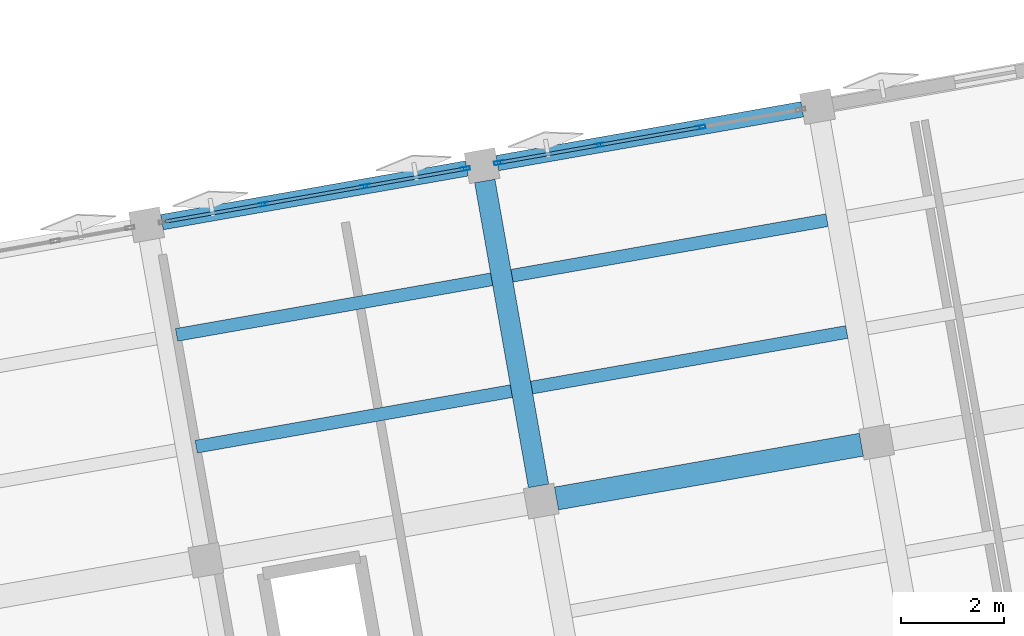
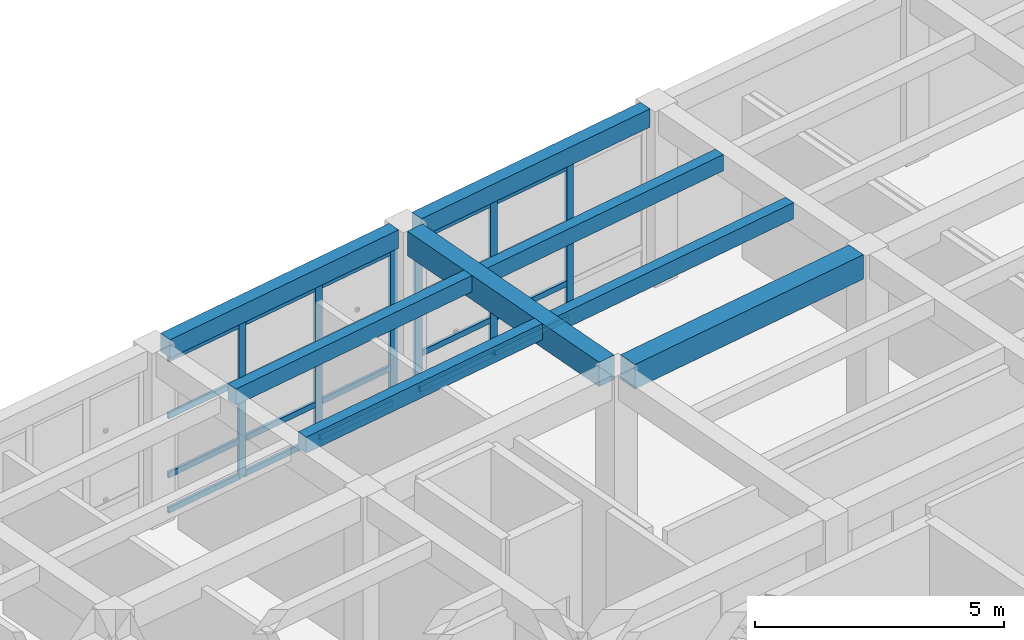
# One storey, part 7 of 36: 26 members, 8 beams, 2 elements without a shape of their own.
"""IFC4 building model written with IfcOpenShell, lengths in metres."""

from ifc_helpers import new_model, si_unit, direction, frame, origin, origin_2d, place, context, subcontext, project, spatial, rectangle, hollow_rectangle, extrude, material, layer, layer_set, material_profile, profile_set, type_object, element, aggregate, save


model = new_model("IFC4")

# Units and contexts
model_context = context("Model", 3, precision=1e-05, world=origin(), true_north=direction((0.0, 1.0)))
body_context = subcontext(model_context, "Body", "Model", "MODEL_VIEW")
ifc_project = project(units=[si_unit("LENGTHUNIT", "METRE"), si_unit("AREAUNIT", "SQUARE_METRE"), si_unit("VOLUMEUNIT", "CUBIC_METRE"), si_unit("PLANEANGLEUNIT", "RADIAN"), si_unit("MASSUNIT", "GRAM", prefix="KILO")], contexts=[model_context])

# Site, building, storey
site_placement = place(None, origin())
site = spatial("IfcSite", under=ifc_project, at=site_placement, CompositionType="ELEMENT")
building_placement = place(site_placement, origin())
building = spatial("IfcBuilding", under=site, at=building_placement, Name="Kharisveld Research Institute", CompositionType="ELEMENT")
storey_placement = place(building_placement, frame((0.0, 0.0, 27.60009765625)))
storey = spatial("IfcBuildingStorey", under=building, at=storey_placement, Name="L06", CompositionType="ELEMENT", Elevation=27.60009765625)

# Beams
ifc_material_1 = material(Name="Concrete C40/50", Category="concrete")
ifc_material_profile_1 = material_profile(ifc_material_1, rectangle(XDim=0.39990234375, YDim=0.60009765625, at=origin_2d()))
ifc_profile_set_1 = profile_set([ifc_material_profile_1], Name="Concrete C40/50")
beam_type_1 = type_object("IfcBeamType", Name="BM_RC_400x600", PredefinedType="BEAM", material=ifc_profile_set_1)
beam_1_placement = place(storey_placement, frame((22.35498046875, 51.7431640625, 4.02001953125), z_axis=(-0.173662308598, 0.984805261243, 0.0), x_axis=(-0.984805261243, -0.173662308598, 0.0)))
element("IfcBeam", 1, at=beam_1_placement, inside=storey, type_object=beam_type_1, Name="BM:V1:L06:V3_2", PredefinedType="BEAM", context=body_context, shape_type="SweptSolid", body=[
    extrude(rectangle(XDim=0.39990234375, YDim=0.60009765625, at=origin_2d()), origin(), (0.0, 0.0, 1.0), 6.0),
])
ifc_material_2 = material(Name="Concrete C40/50", Category="concrete")
ifc_material_profile_2 = material_profile(ifc_material_2, rectangle(XDim=0.449951171875, YDim=0.60009765625, at=origin_2d()))
ifc_profile_set_2 = profile_set([ifc_material_profile_2], Name="Concrete C40/50")
beam_type_2 = type_object("IfcBeamType", Name="BM_RC_450x600", PredefinedType="BEAM", material=ifc_profile_set_2)
beam_2_placement = place(storey_placement, frame((22.702392578125, 51.499755859375, 4.02001953125), z_axis=(0.984805261243, 0.173662308598, 0.0), x_axis=(-0.173662308598, 0.984805261243, 0.0)))
element("IfcBeam", 2, at=beam_2_placement, inside=storey, type_object=beam_type_2, Name="BM:V1:L06:U3_2", PredefinedType="BEAM", context=body_context, shape_type="SweptSolid", body=[
    extrude(rectangle(XDim=0.449951171875, YDim=0.60009765625, at=origin_2d()), origin(), (0.0, 0.0, 1.0), 6.0),
])

# Curtain wall, members
ifc_material_3 = material(Name="Thermally Broken Aluminium Curtain Wall", Category="aluminium")
ifc_layer_1 = layer(ifc_material_3, 0.159912109375)
ifc_layer_set_1 = layer_set([ifc_layer_1], Name="CW_SYS_05")
curtain_wall_type_1 = type_object("IfcCurtainWallType", Name="CW_SYS_05", PredefinedType="NOTDEFINED", material=ifc_layer_set_1)
curtain_wall_1_placement = place(storey_placement, origin())
curtain_wall_1 = element("IfcCurtainWall", 3, at=curtain_wall_1_placement, inside=storey, type_object=curtain_wall_type_1, Name="CW:V1:L06:N2", PredefinedType="NOTDEFINED")
ifc_material_4 = material(Name="Anodised Aluminium AW-6063-T6", Category="aluminium")
ifc_material_profile_3 = material_profile(ifc_material_4, hollow_rectangle(XDim=0.070068359375, YDim=0.179931640625, WallThickness=0.00439453125, at=origin_2d()))
ifc_profile_set_3 = profile_set([ifc_material_profile_3], Name="Anodised Aluminium AW-6063-T6")
member_type_1 = type_object("IfcMemberType", Name="CW_MUL_180", PredefinedType="MULLION", material=ifc_profile_set_3)
member_1_placement = place(storey_placement, frame((17.024658203125, 57.200439453125, 0.0), z_axis=(0.0, 0.0, 1.0), x_axis=(-0.173648210685, 0.98480774719, 0.0)))
member_1 = element("IfcMember", 4, at=member_1_placement, type_object=member_type_1, Name="CW-05 mullion 2", PredefinedType="MULLION", context=body_context, shape_type="SweptSolid", body=[
    extrude(hollow_rectangle(XDim=0.070068359375, YDim=0.179931640625, WallThickness=0.00439453125, at=origin_2d()), origin(), (0.0, 0.0, 1.0), 3.77978515625),
])
member_2_placement = place(storey_placement, frame((18.99755859375, 57.54833984375, 0.0), z_axis=(0.0, 0.0, 1.0), x_axis=(-0.173648210685, 0.98480774719, 0.0)))
member_2 = element("IfcMember", 5, at=member_2_placement, type_object=member_type_1, Name="CW-05 mullion 3", PredefinedType="MULLION", context=body_context, shape_type="SweptSolid", body=[
    extrude(hollow_rectangle(XDim=0.070068359375, YDim=0.179931640625, WallThickness=0.00439453125, at=origin_2d()), origin(), (0.0, 0.0, 1.0), 3.77978515625),
])
member_3_placement = place(storey_placement, frame((20.93603515625, 57.89013671875, 0.0), z_axis=(0.0, 0.0, 1.0), x_axis=(-0.173648210685, 0.98480774719, 0.0)))
member_3 = element("IfcMember", 6, at=member_3_placement, type_object=member_type_1, Name="CW-05 mullion 4", PredefinedType="MULLION", context=body_context, shape_type="SweptSolid", body=[
    extrude(hollow_rectangle(XDim=0.070068359375, YDim=0.179931640625, WallThickness=0.00439453125, at=origin_2d()), origin(), (0.0, 0.0, 1.0), 3.77978515625),
])

ifc_material_5 = material(Name="Thermally Broken Aluminium Curtain Wall", Category="aluminium")
ifc_layer_2 = layer(ifc_material_5, 0.159912109375)
ifc_layer_set_2 = layer_set([ifc_layer_2], Name="CW_SYS_06")
curtain_wall_type_2 = type_object("IfcCurtainWallType", Name="CW_SYS_06", PredefinedType="NOTDEFINED", material=ifc_layer_set_2)
curtain_wall_2_placement = place(storey_placement, origin())
curtain_wall_2 = element("IfcCurtainWall", 7, at=curtain_wall_2_placement, inside=storey, type_object=curtain_wall_type_2, Name="CW:V1:L06:N3", PredefinedType="NOTDEFINED")
member_4_placement = place(storey_placement, frame((21.5859375, 58.004638671875, 0.0), z_axis=(0.0, 0.0, 1.0), x_axis=(-0.173648239132, 0.984807742174, 0.0)))
member_4 = element("IfcMember", 8, at=member_4_placement, type_object=member_type_1, Name="CW-06 mullion 1", PredefinedType="MULLION", context=body_context, shape_type="SweptSolid", body=[
    extrude(hollow_rectangle(XDim=0.070068359375, YDim=0.179931640625, WallThickness=0.00439453125, at=origin_2d()), origin(), (0.0, 0.0, 1.0), 3.77978515625),
])
member_5_placement = place(storey_placement, frame((23.5244140625, 58.346435546875, 0.0), z_axis=(0.0, 0.0, 1.0), x_axis=(-0.173648239132, 0.984807742174, 0.0)))
member_5 = element("IfcMember", 9, at=member_5_placement, type_object=member_type_1, Name="CW-06 mullion 2", PredefinedType="MULLION", context=body_context, shape_type="SweptSolid", body=[
    extrude(hollow_rectangle(XDim=0.070068359375, YDim=0.179931640625, WallThickness=0.00439453125, at=origin_2d()), origin(), (0.0, 0.0, 1.0), 3.77978515625),
])
member_6_placement = place(storey_placement, frame((25.497314453125, 58.6943359375, 0.0), z_axis=(0.0, 0.0, 1.0), x_axis=(-0.173648239132, 0.984807742174, 0.0)))
member_6 = element("IfcMember", 10, at=member_6_placement, type_object=member_type_1, Name="CW-06 mullion 3", PredefinedType="MULLION", context=body_context, shape_type="SweptSolid", body=[
    extrude(hollow_rectangle(XDim=0.070068359375, YDim=0.179931640625, WallThickness=0.00439453125, at=origin_2d()), origin(), (0.0, 0.0, 1.0), 3.77978515625),
])

# Member
ifc_material_6 = material(Name="Anodised Aluminium AW-6063-T6", Category="aluminium")
ifc_material_profile_4 = material_profile(ifc_material_6, hollow_rectangle(XDim=0.06494140625, YDim=0.139892578125, WallThickness=0.00390625, at=origin_2d()))
ifc_profile_set_4 = profile_set([ifc_material_profile_4], Name="Anodised Aluminium AW-6063-T6")
member_type_2 = type_object("IfcMemberType", Name="CW_TRN_140", PredefinedType="USERDEFINED", material=ifc_profile_set_4)
member_7_placement = place(storey_placement, frame((15.12060546875, 56.86474609375, 0.032470703125), z_axis=(0.984814614087, 0.173609262081, 0.0), x_axis=(-0.173609262081, 0.984814614087, 0.0)))
member_7 = element("IfcMember", 11, at=member_7_placement, type_object=member_type_2, Name="CW-05 transom 1.1", ObjectType="TRANSOM", PredefinedType="USERDEFINED", context=body_context, shape_type="SweptSolid", body=[
    extrude(hollow_rectangle(XDim=0.06494140625, YDim=0.139892578125, WallThickness=0.00390625, at=origin_2d()), origin(), (0.0, 0.0, 1.0), 1.8984375),
])

member_8_placement = place(storey_placement, frame((15.12060546875, 56.86474609375, 0.89990234375), z_axis=(0.984814614087, 0.173609262081, 0.0), x_axis=(-0.173609262081, 0.984814614087, 0.0)))
member_8 = element("IfcMember", 12, at=member_8_placement, type_object=member_type_2, Name="CW-05 transom 1.2", ObjectType="TRANSOM", PredefinedType="USERDEFINED", context=body_context, shape_type="SweptSolid", body=[
    extrude(hollow_rectangle(XDim=0.06494140625, YDim=0.139892578125, WallThickness=0.00390625, at=origin_2d()), origin(), (0.0, 0.0, 1.0), 1.8984375),
])

member_9_placement = place(storey_placement, frame((15.12060546875, 56.86474609375, 2.349853515625), z_axis=(0.984814614087, 0.173609262081, 0.0), x_axis=(-0.173609262081, 0.984814614087, 0.0)))
member_9 = element("IfcMember", 13, at=member_9_placement, type_object=member_type_2, Name="CW-05 transom 1.3", ObjectType="TRANSOM", PredefinedType="USERDEFINED", context=body_context, shape_type="SweptSolid", body=[
    extrude(hollow_rectangle(XDim=0.06494140625, YDim=0.139892578125, WallThickness=0.00390625, at=origin_2d()), origin(), (0.0, 0.0, 1.0), 1.8984375),
])

member_10_placement = place(storey_placement, frame((15.12060546875, 56.86474609375, 3.747314453125), z_axis=(0.984814614087, 0.173609262081, 0.0), x_axis=(-0.173609262081, 0.984814614087, 0.0)))
member_10 = element("IfcMember", 14, at=member_10_placement, type_object=member_type_2, Name="CW-05 transom 1.4", ObjectType="TRANSOM", PredefinedType="USERDEFINED", context=body_context, shape_type="SweptSolid", body=[
    extrude(hollow_rectangle(XDim=0.06494140625, YDim=0.139892578125, WallThickness=0.00390625, at=origin_2d()), origin(), (0.0, 0.0, 1.0), 1.8984375),
])

member_11_placement = place(storey_placement, frame((17.05908203125, 57.20654296875, 0.032470703125), z_axis=(0.984811512808, 0.173626853457, 0.0), x_axis=(-0.173626853457, 0.984811512808, 0.0)))
member_11 = element("IfcMember", 15, at=member_11_placement, type_object=member_type_2, Name="CW-05 transom 2.1", ObjectType="TRANSOM", PredefinedType="USERDEFINED", context=body_context, shape_type="SweptSolid", body=[
    extrude(hollow_rectangle(XDim=0.06494140625, YDim=0.139892578125, WallThickness=0.00390625, at=origin_2d()), origin(), (0.0, 0.0, 1.0), 1.933349609375),
])

member_12_placement = place(storey_placement, frame((17.05908203125, 57.20654296875, 0.89990234375), z_axis=(0.984811512808, 0.173626853457, 0.0), x_axis=(-0.173626853457, 0.984811512808, 0.0)))
member_12 = element("IfcMember", 16, at=member_12_placement, type_object=member_type_2, Name="CW-05 transom 2.2", ObjectType="TRANSOM", PredefinedType="USERDEFINED", context=body_context, shape_type="SweptSolid", body=[
    extrude(hollow_rectangle(XDim=0.06494140625, YDim=0.139892578125, WallThickness=0.00390625, at=origin_2d()), origin(), (0.0, 0.0, 1.0), 1.933349609375),
])

member_13_placement = place(storey_placement, frame((17.05908203125, 57.20654296875, 2.349853515625), z_axis=(0.984811512808, 0.173626853457, 0.0), x_axis=(-0.173626853457, 0.984811512808, 0.0)))
member_13 = element("IfcMember", 17, at=member_13_placement, type_object=member_type_2, Name="CW-05 transom 2.3", ObjectType="TRANSOM", PredefinedType="USERDEFINED", context=body_context, shape_type="SweptSolid", body=[
    extrude(hollow_rectangle(XDim=0.06494140625, YDim=0.139892578125, WallThickness=0.00390625, at=origin_2d()), origin(), (0.0, 0.0, 1.0), 1.933349609375),
])

member_14_placement = place(storey_placement, frame((17.05908203125, 57.20654296875, 3.747314453125), z_axis=(0.984811512808, 0.173626853457, 0.0), x_axis=(-0.173626853457, 0.984811512808, 0.0)))
member_14 = element("IfcMember", 18, at=member_14_placement, type_object=member_type_2, Name="CW-05 transom 2.4", ObjectType="TRANSOM", PredefinedType="USERDEFINED", context=body_context, shape_type="SweptSolid", body=[
    extrude(hollow_rectangle(XDim=0.06494140625, YDim=0.139892578125, WallThickness=0.00390625, at=origin_2d()), origin(), (0.0, 0.0, 1.0), 1.933349609375),
])

member_15_placement = place(storey_placement, frame((19.031982421875, 57.554443359375, 0.032470703125), z_axis=(0.984814614087, 0.173609262081, 0.0), x_axis=(-0.173609262081, 0.984814614087, 0.0)))
member_15 = element("IfcMember", 19, at=member_15_placement, type_object=member_type_2, Name="CW-05 transom 3.1", ObjectType="TRANSOM", PredefinedType="USERDEFINED", context=body_context, shape_type="SweptSolid", body=[
    extrude(hollow_rectangle(XDim=0.06494140625, YDim=0.139892578125, WallThickness=0.00390625, at=origin_2d()), origin(), (0.0, 0.0, 1.0), 1.8984375),
])

member_16_placement = place(storey_placement, frame((19.031982421875, 57.554443359375, 0.89990234375), z_axis=(0.984814614087, 0.173609262081, 0.0), x_axis=(-0.173609262081, 0.984814614087, 0.0)))
member_16 = element("IfcMember", 20, at=member_16_placement, type_object=member_type_2, Name="CW-05 transom 3.2", ObjectType="TRANSOM", PredefinedType="USERDEFINED", context=body_context, shape_type="SweptSolid", body=[
    extrude(hollow_rectangle(XDim=0.06494140625, YDim=0.139892578125, WallThickness=0.00390625, at=origin_2d()), origin(), (0.0, 0.0, 1.0), 1.8984375),
])

member_17_placement = place(storey_placement, frame((19.031982421875, 57.554443359375, 2.349853515625), z_axis=(0.984814614087, 0.173609262081, 0.0), x_axis=(-0.173609262081, 0.984814614087, 0.0)))
member_17 = element("IfcMember", 21, at=member_17_placement, type_object=member_type_2, Name="CW-05 transom 3.3", ObjectType="TRANSOM", PredefinedType="USERDEFINED", context=body_context, shape_type="SweptSolid", body=[
    extrude(hollow_rectangle(XDim=0.06494140625, YDim=0.139892578125, WallThickness=0.00390625, at=origin_2d()), origin(), (0.0, 0.0, 1.0), 1.8984375),
])

member_18_placement = place(storey_placement, frame((19.031982421875, 57.554443359375, 3.747314453125), z_axis=(0.984814614087, 0.173609262081, 0.0), x_axis=(-0.173609262081, 0.984814614087, 0.0)))
member_18 = element("IfcMember", 22, at=member_18_placement, type_object=member_type_2, Name="CW-05 transom 3.4", ObjectType="TRANSOM", PredefinedType="USERDEFINED", context=body_context, shape_type="SweptSolid", body=[
    extrude(hollow_rectangle(XDim=0.06494140625, YDim=0.139892578125, WallThickness=0.00390625, at=origin_2d()), origin(), (0.0, 0.0, 1.0), 1.8984375),
])

aggregate(curtain_wall_1, [member_1, member_2, member_3, member_7, member_8, member_9, member_10, member_11, member_12, member_13, member_14, member_15, member_16, member_17, member_18])

member_19_placement = place(storey_placement, frame((21.620361328125, 58.0107421875, 0.032470703125), z_axis=(0.984814614087, 0.173609262081, 0.0), x_axis=(-0.173609262081, 0.984814614087, 0.0)))
member_19 = element("IfcMember", 23, at=member_19_placement, type_object=member_type_2, Name="CW-06 transom 1.1", ObjectType="TRANSOM", PredefinedType="USERDEFINED", context=body_context, shape_type="SweptSolid", body=[
    extrude(hollow_rectangle(XDim=0.06494140625, YDim=0.139892578125, WallThickness=0.00390625, at=origin_2d()), origin(), (0.0, 0.0, 1.0), 1.8984375),
])

member_20_placement = place(storey_placement, frame((21.620361328125, 58.0107421875, 0.89990234375), z_axis=(0.984814614087, 0.173609262081, 0.0), x_axis=(-0.173609262081, 0.984814614087, 0.0)))
member_20 = element("IfcMember", 24, at=member_20_placement, type_object=member_type_2, Name="CW-06 transom 1.2", ObjectType="TRANSOM", PredefinedType="USERDEFINED", context=body_context, shape_type="SweptSolid", body=[
    extrude(hollow_rectangle(XDim=0.06494140625, YDim=0.139892578125, WallThickness=0.00390625, at=origin_2d()), origin(), (0.0, 0.0, 1.0), 1.8984375),
])

member_21_placement = place(storey_placement, frame((21.620361328125, 58.0107421875, 2.349853515625), z_axis=(0.984814614087, 0.173609262081, 0.0), x_axis=(-0.173609262081, 0.984814614087, 0.0)))
member_21 = element("IfcMember", 25, at=member_21_placement, type_object=member_type_2, Name="CW-06 transom 1.3", ObjectType="TRANSOM", PredefinedType="USERDEFINED", context=body_context, shape_type="SweptSolid", body=[
    extrude(hollow_rectangle(XDim=0.06494140625, YDim=0.139892578125, WallThickness=0.00390625, at=origin_2d()), origin(), (0.0, 0.0, 1.0), 1.8984375),
])

member_22_placement = place(storey_placement, frame((21.620361328125, 58.0107421875, 3.747314453125), z_axis=(0.984814614087, 0.173609262081, 0.0), x_axis=(-0.173609262081, 0.984814614087, 0.0)))
member_22 = element("IfcMember", 26, at=member_22_placement, type_object=member_type_2, Name="CW-06 transom 1.4", ObjectType="TRANSOM", PredefinedType="USERDEFINED", context=body_context, shape_type="SweptSolid", body=[
    extrude(hollow_rectangle(XDim=0.06494140625, YDim=0.139892578125, WallThickness=0.00390625, at=origin_2d()), origin(), (0.0, 0.0, 1.0), 1.8984375),
])

member_23_placement = place(storey_placement, frame((23.558837890625, 58.3525390625, 0.032470703125), z_axis=(0.984811512808, 0.173626853457, 0.0), x_axis=(-0.173626853457, 0.984811512808, 0.0)))
member_23 = element("IfcMember", 27, at=member_23_placement, type_object=member_type_2, Name="CW-06 transom 2.1", ObjectType="TRANSOM", PredefinedType="USERDEFINED", context=body_context, shape_type="SweptSolid", body=[
    extrude(hollow_rectangle(XDim=0.06494140625, YDim=0.139892578125, WallThickness=0.00390625, at=origin_2d()), origin(), (0.0, 0.0, 1.0), 1.933349609375),
])

member_24_placement = place(storey_placement, frame((23.558837890625, 58.3525390625, 0.89990234375), z_axis=(0.984811512808, 0.173626853457, 0.0), x_axis=(-0.173626853457, 0.984811512808, 0.0)))
member_24 = element("IfcMember", 28, at=member_24_placement, type_object=member_type_2, Name="CW-06 transom 2.2", ObjectType="TRANSOM", PredefinedType="USERDEFINED", context=body_context, shape_type="SweptSolid", body=[
    extrude(hollow_rectangle(XDim=0.06494140625, YDim=0.139892578125, WallThickness=0.00390625, at=origin_2d()), origin(), (0.0, 0.0, 1.0), 1.933349609375),
])

member_25_placement = place(storey_placement, frame((23.558837890625, 58.3525390625, 2.349853515625), z_axis=(0.984811512808, 0.173626853457, 0.0), x_axis=(-0.173626853457, 0.984811512808, 0.0)))
member_25 = element("IfcMember", 29, at=member_25_placement, type_object=member_type_2, Name="CW-06 transom 2.3", ObjectType="TRANSOM", PredefinedType="USERDEFINED", context=body_context, shape_type="SweptSolid", body=[
    extrude(hollow_rectangle(XDim=0.06494140625, YDim=0.139892578125, WallThickness=0.00390625, at=origin_2d()), origin(), (0.0, 0.0, 1.0), 1.933349609375),
])

member_26_placement = place(storey_placement, frame((23.558837890625, 58.3525390625, 3.747314453125), z_axis=(0.984811512808, 0.173626853457, 0.0), x_axis=(-0.173626853457, 0.984811512808, 0.0)))
member_26 = element("IfcMember", 30, at=member_26_placement, type_object=member_type_2, Name="CW-06 transom 2.4", ObjectType="TRANSOM", PredefinedType="USERDEFINED", context=body_context, shape_type="SweptSolid", body=[
    extrude(hollow_rectangle(XDim=0.06494140625, YDim=0.139892578125, WallThickness=0.00390625, at=origin_2d()), origin(), (0.0, 0.0, 1.0), 1.933349609375),
])

aggregate(curtain_wall_2, [member_4, member_5, member_6, member_19, member_20, member_21, member_22, member_23, member_24, member_25, member_26])

# Beams
ifc_material_7 = material(Name="Concrete C40/50", Category="concrete")
ifc_material_profile_5 = material_profile(ifc_material_7, rectangle(XDim=0.300048828125, YDim=0.449951171875, at=origin_2d()))
ifc_profile_set_5 = profile_set([ifc_material_profile_5], Name="Concrete C40/50")
beam_type_3 = type_object("IfcBeamType", Name="SP_RC_300x450", PredefinedType="SPANDREL", material=ifc_profile_set_5)
for number, where, z_axis, x_axis, name in (
    (31, (15.056640625, 56.853515625, 4.094970703125), (0.984812219346, 0.173622845926, 0.0), (-0.173622845926, 0.984812219346, 0.0), "BM:V1:L06:U2_3"),
    (32, (21.556396484375, 57.99951171875, 4.094970703125), (0.984805261243, 0.173662308598, 0.0), (-0.173662308598, 0.984805261243, 0.0), "BM:V1:L06:U3_3"),
):
    element("IfcBeam", number, at=place(storey_placement, frame(where, z_axis=z_axis, x_axis=x_axis)), inside=storey, type_object=beam_type_3, Name=name, PredefinedType="SPANDREL", context=body_context, shape_type="SweptSolid", body=[
        extrude(rectangle(XDim=0.300048828125, YDim=0.449951171875, at=origin_2d()), origin(), (0.0, 0.0, 1.0), 6.0),
    ])
ifc_material_8 = material(Name="Concrete C40/50", Category="concrete")
ifc_material_profile_6 = material_profile(ifc_material_8, rectangle(XDim=0.25, YDim=0.39990234375, at=origin_2d()))
ifc_profile_set_6 = profile_set([ifc_material_profile_6], Name="Concrete C40/50")
beam_type_4 = type_object("IfcBeamType", Name="WB_RC_250x400", PredefinedType="JOIST", material=ifc_profile_set_6)
beam_3_placement = place(storey_placement, frame((15.72216796875, 52.5029296875, 4.119873046875), z_axis=(0.984807334084, 0.173650553511, 0.0), x_axis=(-0.173650553511, 0.984807334084, 0.0)))
element("IfcBeam", 33, at=beam_3_placement, inside=storey, type_object=beam_type_4, Name="BM:V1:L06:J_2_2_R1", PredefinedType="JOIST", context=body_context, shape_type="SweptSolid", body=[
    extrude(rectangle(XDim=0.25, YDim=0.39990234375, at=origin_2d()), origin(), (0.0, 0.0, 1.0), 6.2001953125),
])
beam_4_placement = place(storey_placement, frame((15.34033203125, 54.66943359375, 4.119873046875), z_axis=(0.984806146634, 0.173657287643, 0.0), x_axis=(-0.173657287643, 0.984806146634, 0.0)))
element("IfcBeam", 34, at=beam_4_placement, inside=storey, type_object=beam_type_4, Name="BM:V1:L06:J_2_2_R2", PredefinedType="JOIST", context=body_context, shape_type="SweptSolid", body=[
    extrude(rectangle(XDim=0.25, YDim=0.39990234375, at=origin_2d()), origin(), (0.0, 0.0, 1.0), 6.199951171875),
])
for number, where, z_axis, x_axis, name in (
    (35, (22.221923828125, 53.64892578125, 4.119873046875), (0.984807334084, 0.173650553511, 0.0), (-0.173650553511, 0.984807334084, 0.0), "BM:V1:L06:J_3_2_R1"),
    (36, (21.83984375, 55.815673828125, 4.119873046875), (0.984814067264, 0.173612363957, 0.0), (-0.173612363957, 0.984814067264, 0.0), "BM:V1:L06:J_3_2_R2"),
):
    element("IfcBeam", number, at=place(storey_placement, frame(where, z_axis=z_axis, x_axis=x_axis)), inside=storey, type_object=beam_type_4, Name=name, PredefinedType="JOIST", context=body_context, shape_type="SweptSolid", body=[
        extrude(rectangle(XDim=0.25, YDim=0.39990234375, at=origin_2d()), origin(), (0.0, 0.0, 1.0), 6.2001953125),
    ])

save(model, "model.ifc")
